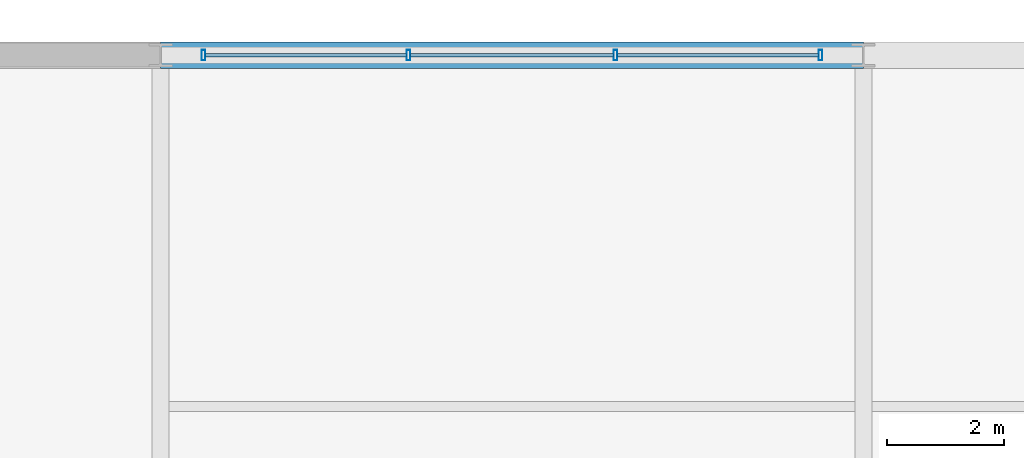
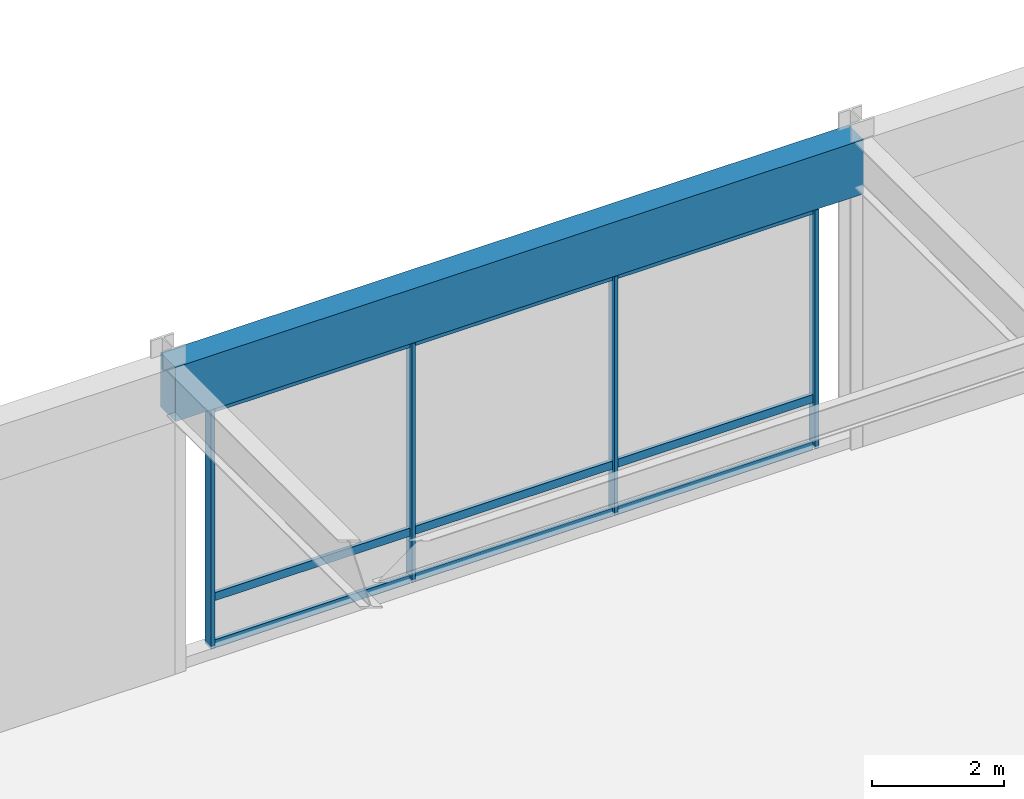
# One storey, part 32 of 105: 13 members, 1 beam, 1 element without a shape of its own.
"""IFC4 building model written with IfcOpenShell, lengths in metres."""

from ifc_helpers import new_model, si_unit, direction, frame, origin, origin_2d, place, context, subcontext, project, spatial, rectangle, hollow_rectangle, extrude, material, material_profile, profile_set, type_object, element, aggregate, save


model = new_model("IFC4")

# Units and contexts
model_context = context("Model", 3, precision=1e-05, world=origin(), true_north=direction((0.0, 1.0)))
body_context = subcontext(model_context, "Body", "Model", "MODEL_VIEW")
ifc_project = project(units=[si_unit("LENGTHUNIT", "METRE"), si_unit("AREAUNIT", "SQUARE_METRE"), si_unit("VOLUMEUNIT", "CUBIC_METRE"), si_unit("PLANEANGLEUNIT", "RADIAN"), si_unit("MASSUNIT", "GRAM", prefix="KILO")], contexts=[model_context])

# Site, building, storey
site_placement = place(None, origin())
site = spatial("IfcSite", under=ifc_project, at=site_placement, CompositionType="ELEMENT")
building_placement = place(site_placement, origin())
building = spatial("IfcBuilding", under=site, at=building_placement, Name="Kaldorvane Square Convention Centre", CompositionType="ELEMENT")
storey_placement = place(building_placement, frame((0.0, 0.0, 6.0)))
storey = spatial("IfcBuildingStorey", under=building, at=storey_placement, Name="L01", CompositionType="ELEMENT", Elevation=6.0)

# Beam
ifc_material_1 = material(Name="Concrete f'c = 42 MPa (Normalweight)", Category="concrete")
ifc_material_profile_1 = material_profile(ifc_material_1, rectangle(XDim=0.4499969482421875, YDim=1.0, at=origin_2d()), Name="RCSP1000X450")
ifc_profile_set_1 = profile_set([ifc_material_profile_1], Name="Concrete f'c = 42 MPa (Normalweight)")
beam_type = type_object("IfcBeamType", Name="BM-SP-RC1000", PredefinedType="SPANDREL", material=ifc_profile_set_1)
beam_placement = place(storey_placement, frame((102.0, 117.0, 5.175994873046875), z_axis=(1.0, 0.0, 0.0), x_axis=(0.0, 1.0, 0.0)))
element("IfcBeam", 1, at=beam_placement, inside=storey, type_object=beam_type, Name="Perimeter Spandrel (L01)", PredefinedType="SPANDREL", context=body_context, shape_type="SweptSolid", body=[
    extrude(rectangle(XDim=0.4499969482421875, YDim=1.0, at=origin_2d()), origin(), (0.0, 0.0, 1.0), 12.0),
])

# Curtain wall, members
ifc_material_2 = material(Name="Anodized Aluminum and Low-E Insulated Glazing", Category="aluminium")
curtain_wall_type = type_object("IfcCurtainWallType", Name="CW-UNI-P60-09", PredefinedType="USERDEFINED", material=ifc_material_2)
curtain_wall_placement = place(storey_placement, origin())
curtain_wall = element("IfcCurtainWall", 2, at=curtain_wall_placement, inside=storey, type_object=curtain_wall_type, Name="Curtain Wall CW-02 (L01)", ObjectType="UNITISED GLAZING", PredefinedType="USERDEFINED")
ifc_material_profile_2 = material_profile(ifc_material_2, hollow_rectangle(XDim=0.06500244140625, YDim=0.17999267578125, WallThickness=0.0034942626953125, at=origin_2d()), Name="CWM-180X65")
ifc_profile_set_2 = profile_set([ifc_material_profile_2], Name="Anodized Aluminum and Low-E Insulated Glazing")
member_type_1 = type_object("IfcMemberType", Name="CW-MUL-180", PredefinedType="MULLION", material=ifc_profile_set_2)
member_1_placement = place(storey_placement, frame((113.26750183105469, 117.0, 0.149993896484375), z_axis=(0.0, 0.0, 1.0), x_axis=(-1.0, 0.0, 0.0)))
member_1 = element("IfcMember", 3, at=member_1_placement, type_object=member_type_1, Name="CW-02 mullion 1", PredefinedType="MULLION", context=body_context, shape_type="SweptSolid", body=[
    extrude(hollow_rectangle(XDim=0.06500244140625, YDim=0.17999267578125, WallThickness=0.0034942626953125, at=origin_2d()), origin(), (0.0, 0.0, 1.0), 4.410003662109375),
])
member_2_placement = place(storey_placement, frame((109.76666259765625, 117.0, 0.149993896484375), z_axis=(0.0, 0.0, 1.0), x_axis=(-1.0, 0.0, 0.0)))
member_2 = element("IfcMember", 4, at=member_2_placement, type_object=member_type_1, Name="CW-02 mullion 2", PredefinedType="MULLION", context=body_context, shape_type="SweptSolid", body=[
    extrude(hollow_rectangle(XDim=0.06500244140625, YDim=0.17999267578125, WallThickness=0.0034942626953125, at=origin_2d()), origin(), (0.0, 0.0, 1.0), 4.410003662109375),
])
member_3_placement = place(storey_placement, frame((106.23333740234375, 117.0, 0.149993896484375), z_axis=(0.0, 0.0, 1.0), x_axis=(-1.0, 0.0, 0.0)))
member_3 = element("IfcMember", 5, at=member_3_placement, type_object=member_type_1, Name="CW-02 mullion 3", PredefinedType="MULLION", context=body_context, shape_type="SweptSolid", body=[
    extrude(hollow_rectangle(XDim=0.06500244140625, YDim=0.17999267578125, WallThickness=0.0034942626953125, at=origin_2d()), origin(), (0.0, 0.0, 1.0), 4.410003662109375),
])
member_4_placement = place(storey_placement, frame((102.73249816894531, 117.0, 0.149993896484375), z_axis=(0.0, 0.0, 1.0), x_axis=(-1.0, 0.0, 0.0)))
member_4 = element("IfcMember", 6, at=member_4_placement, type_object=member_type_1, Name="CW-02 mullion 4", PredefinedType="MULLION", context=body_context, shape_type="SweptSolid", body=[
    extrude(hollow_rectangle(XDim=0.06500244140625, YDim=0.17999267578125, WallThickness=0.0034942626953125, at=origin_2d()), origin(), (0.0, 0.0, 1.0), 4.410003662109375),
])
ifc_material_profile_3 = material_profile(ifc_material_2, hollow_rectangle(XDim=0.05999755859375, YDim=0.149993896484375, WallThickness=0.003204345703125, at=origin_2d()), Name="CWT-150X60")
ifc_profile_set_3 = profile_set([ifc_material_profile_3], Name="Anodized Aluminum and Low-E Insulated Glazing")
member_type_2 = type_object("IfcMemberType", Name="CW-TRN-150", PredefinedType="USERDEFINED", material=ifc_profile_set_3)
member_5_placement = place(storey_placement, frame((113.23500061035156, 117.0, 0.17999267578125), z_axis=(-1.0, 0.0, 0.0), x_axis=(0.0, -1.0, 0.0)))
member_5 = element("IfcMember", 7, at=member_5_placement, type_object=member_type_2, Name="CW-02 transom 1.1", ObjectType="TRANSOM", PredefinedType="USERDEFINED", context=body_context, shape_type="SweptSolid", body=[
    extrude(hollow_rectangle(XDim=0.05999755859375, YDim=0.149993896484375, WallThickness=0.003204345703125, at=origin_2d()), origin(), (0.0, 0.0, 1.0), 3.4358367919921875),
])
member_6_placement = place(storey_placement, frame((113.23500061035156, 117.0, 1.0500030517578125), z_axis=(-1.0, 0.0, 0.0), x_axis=(0.0, -1.0, 0.0)))
member_6 = element("IfcMember", 8, at=member_6_placement, type_object=member_type_2, Name="CW-02 transom 1.2", ObjectType="TRANSOM", PredefinedType="USERDEFINED", context=body_context, shape_type="SweptSolid", body=[
    extrude(hollow_rectangle(XDim=0.05999755859375, YDim=0.149993896484375, WallThickness=0.003204345703125, at=origin_2d()), origin(), (0.0, 0.0, 1.0), 3.4358367919921875),
])
member_7_placement = place(storey_placement, frame((113.23500061035156, 117.0, 4.529998779296875), z_axis=(-1.0, 0.0, 0.0), x_axis=(0.0, -1.0, 0.0)))
member_7 = element("IfcMember", 9, at=member_7_placement, type_object=member_type_2, Name="CW-02 transom 1.3", ObjectType="TRANSOM", PredefinedType="USERDEFINED", context=body_context, shape_type="SweptSolid", body=[
    extrude(hollow_rectangle(XDim=0.05999755859375, YDim=0.149993896484375, WallThickness=0.003204345703125, at=origin_2d()), origin(), (0.0, 0.0, 1.0), 3.4358367919921875),
])
member_8_placement = place(storey_placement, frame((109.73416137695312, 117.0, 0.17999267578125), z_axis=(-1.0, 0.0, 0.0), x_axis=(0.0, -1.0, 0.0)))
member_8 = element("IfcMember", 10, at=member_8_placement, type_object=member_type_2, Name="CW-02 transom 2.1", ObjectType="TRANSOM", PredefinedType="USERDEFINED", context=body_context, shape_type="SweptSolid", body=[
    extrude(hollow_rectangle(XDim=0.05999755859375, YDim=0.149993896484375, WallThickness=0.003204345703125, at=origin_2d()), origin(), (0.0, 0.0, 1.0), 3.46832275390625),
])
member_9_placement = place(storey_placement, frame((109.73416137695312, 117.0, 1.0500030517578125), z_axis=(-1.0, 0.0, 0.0), x_axis=(0.0, -1.0, 0.0)))
member_9 = element("IfcMember", 11, at=member_9_placement, type_object=member_type_2, Name="CW-02 transom 2.2", ObjectType="TRANSOM", PredefinedType="USERDEFINED", context=body_context, shape_type="SweptSolid", body=[
    extrude(hollow_rectangle(XDim=0.05999755859375, YDim=0.149993896484375, WallThickness=0.003204345703125, at=origin_2d()), origin(), (0.0, 0.0, 1.0), 3.46832275390625),
])
member_10_placement = place(storey_placement, frame((109.73416137695312, 117.0, 4.529998779296875), z_axis=(-1.0, 0.0, 0.0), x_axis=(0.0, -1.0, 0.0)))
member_10 = element("IfcMember", 12, at=member_10_placement, type_object=member_type_2, Name="CW-02 transom 2.3", ObjectType="TRANSOM", PredefinedType="USERDEFINED", context=body_context, shape_type="SweptSolid", body=[
    extrude(hollow_rectangle(XDim=0.05999755859375, YDim=0.149993896484375, WallThickness=0.003204345703125, at=origin_2d()), origin(), (0.0, 0.0, 1.0), 3.46832275390625),
])
member_11_placement = place(storey_placement, frame((106.20083618164062, 117.0, 0.17999267578125), z_axis=(-1.0, 0.0, 0.0), x_axis=(0.0, -1.0, 0.0)))
member_11 = element("IfcMember", 13, at=member_11_placement, type_object=member_type_2, Name="CW-02 transom 3.1", ObjectType="TRANSOM", PredefinedType="USERDEFINED", context=body_context, shape_type="SweptSolid", body=[
    extrude(hollow_rectangle(XDim=0.05999755859375, YDim=0.149993896484375, WallThickness=0.003204345703125, at=origin_2d()), origin(), (0.0, 0.0, 1.0), 3.4358367919921875),
])
member_12_placement = place(storey_placement, frame((106.20083618164062, 117.0, 1.0500030517578125), z_axis=(-1.0, 0.0, 0.0), x_axis=(0.0, -1.0, 0.0)))
member_12 = element("IfcMember", 14, at=member_12_placement, type_object=member_type_2, Name="CW-02 transom 3.2", ObjectType="TRANSOM", PredefinedType="USERDEFINED", context=body_context, shape_type="SweptSolid", body=[
    extrude(hollow_rectangle(XDim=0.05999755859375, YDim=0.149993896484375, WallThickness=0.003204345703125, at=origin_2d()), origin(), (0.0, 0.0, 1.0), 3.4358367919921875),
])
member_13_placement = place(storey_placement, frame((106.20083618164062, 117.0, 4.529998779296875), z_axis=(-1.0, 0.0, 0.0), x_axis=(0.0, -1.0, 0.0)))
member_13 = element("IfcMember", 15, at=member_13_placement, type_object=member_type_2, Name="CW-02 transom 3.3", ObjectType="TRANSOM", PredefinedType="USERDEFINED", context=body_context, shape_type="SweptSolid", body=[
    extrude(hollow_rectangle(XDim=0.05999755859375, YDim=0.149993896484375, WallThickness=0.003204345703125, at=origin_2d()), origin(), (0.0, 0.0, 1.0), 3.4358367919921875),
])
aggregate(curtain_wall, [member_1, member_2, member_3, member_4, member_5, member_6, member_7, member_8, member_9, member_10, member_11, member_12, member_13])

save(model, "model.ifc")
